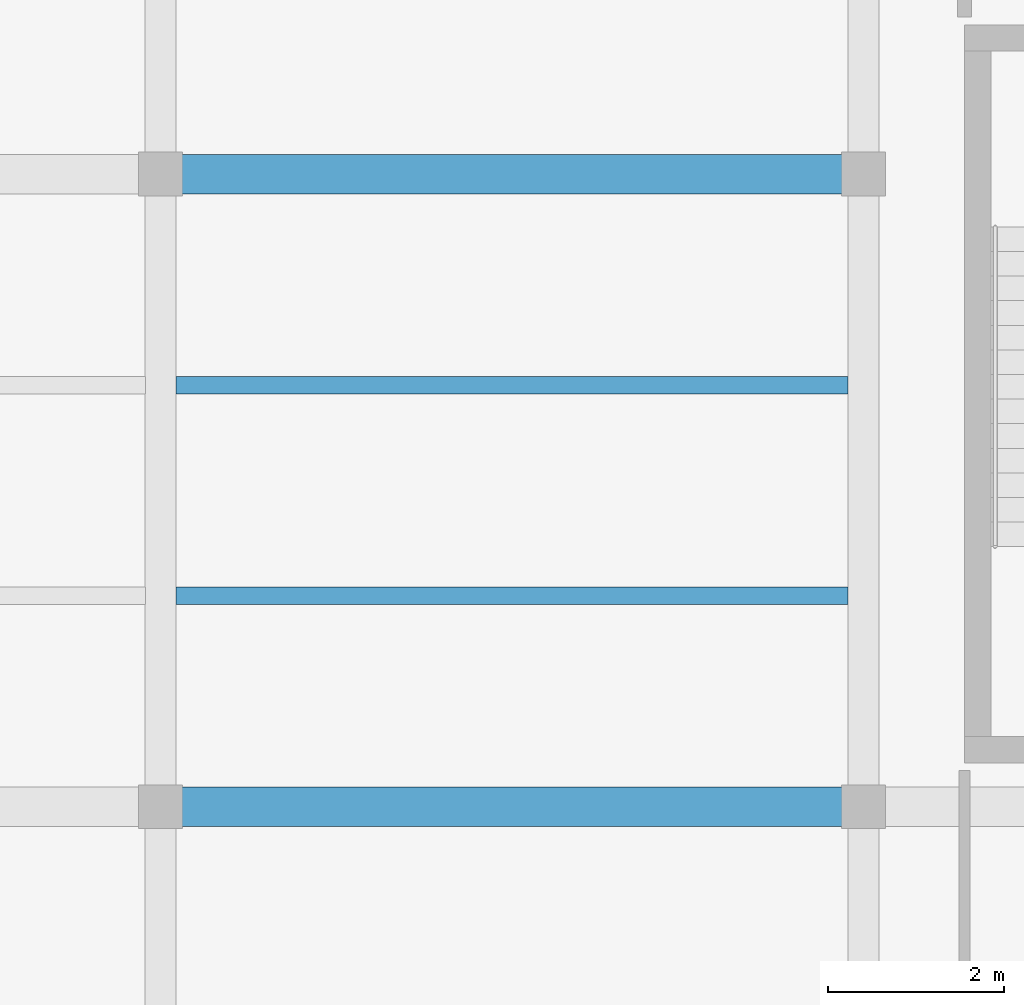
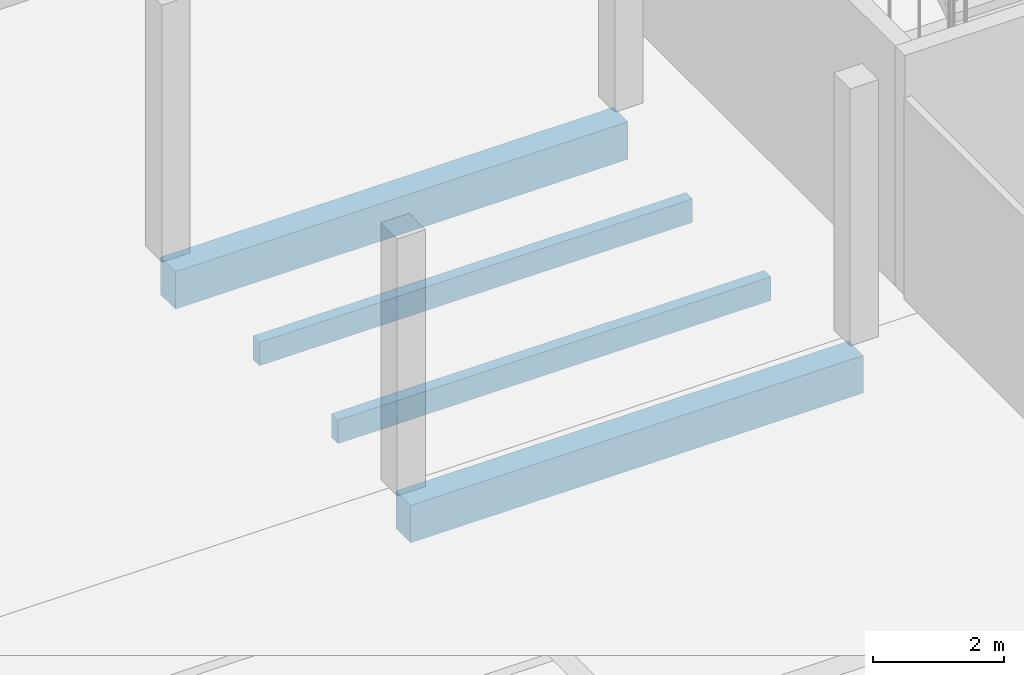
# One storey, part 64 of 177: 4 beams.
"""IFC4 building model written with IfcOpenShell, lengths in metres."""

import ifcopenshell
import ifcopenshell.guid

model = None  # the IFC model being written
_history = None  # IfcOwnerHistory: only IFC2X3 demands one
_inside = {}  # id of a spatial element -> (the spatial element, [elements in it])
_under = {}  # id of a project, library or spatial element -> (it, [spatial elements below it])
_declared = {}  # id of a project -> (the project, [libraries it declares])
_typed = {}  # id of a type object -> (the type object, [elements of that type])
_made_of = {}  # id of a material, layer set ... -> (it, [elements and type objects made of it])


def new_model(schema):
    """Start an empty IFC model of exactly this schema.

    Asked for "IFC4X3", IfcOpenShell would pick the latest addendum, in which some entities
    have other attributes; the version numbers below select the first issue.
    IFC2X3 requires an IfcOwnerHistory on every rooted entity: one is made here for all.
    """
    global model, _history
    if schema == "IFC4X3":
        model = ifcopenshell.file(schema_version=(4, 3, 0, 0))
    else:
        model = ifcopenshell.file(schema=schema)
    _inside.clear()
    _under.clear()
    _declared.clear()
    _typed.clear()
    _made_of.clear()
    _history = None
    if model.schema == "IFC2X3":
        org = make("IfcOrganization", Name="unknown")
        user = make(
            "IfcPersonAndOrganization",
            ThePerson=make("IfcPerson", FamilyName="unknown"),
            TheOrganization=org,
        )
        app = make(
            "IfcApplication",
            ApplicationDeveloper=org,
            Version="unknown",
            ApplicationFullName="unknown",
            ApplicationIdentifier="unknown",
        )
        _history = make(
            "IfcOwnerHistory",
            OwningUser=user,
            OwningApplication=app,
            ChangeAction="ADDED",
            CreationDate=0,
        )
    return model


def make(cls, **values):
    """One entity of the class cls with the attributes given. An attribute that is None is left unset."""
    return model.create_entity(
        cls, **{name: value for name, value in values.items() if value is not None}
    )


def rooted(cls, **values):
    """An entity with a GlobalId (a new one), such as an element, a storey or a relation."""
    return make(cls, GlobalId=ifcopenshell.guid.new(), OwnerHistory=_history, **values)


def si_unit(unit_type, name, prefix=None):
    """IfcSIUnit, for example si_unit("LENGTHUNIT", "METRE", prefix="MILLI")."""
    return make("IfcSIUnit", UnitType=unit_type, Prefix=prefix, Name=name)


def assignment(units):
    """IfcUnitAssignment: the units of a project."""
    return None if units is None else make("IfcUnitAssignment", Units=units)


def point(xyz):
    """IfcCartesianPoint."""
    return None if xyz is None else make("IfcCartesianPoint", Coordinates=xyz)


def direction(xyz):
    """IfcDirection."""
    return None if xyz is None else make("IfcDirection", DirectionRatios=xyz)


def frame(location, z_axis=None, x_axis=None):
    """IfcAxis2Placement3D, a coordinate frame: its origin and axes. An axis left out is left unset."""
    return make(
        "IfcAxis2Placement3D",
        Location=point(location),
        Axis=direction(z_axis),
        RefDirection=direction(x_axis),
    )


def frame_2d(location, x_axis=None):
    """IfcAxis2Placement2D, a coordinate frame in the plane: its origin and x axis."""
    return make(
        "IfcAxis2Placement2D", Location=point(location), RefDirection=direction(x_axis)
    )


def origin():
    """The frame at (0, 0, 0) with its axes left unset."""
    return frame((0.0, 0.0, 0.0))


def origin_2d():
    """The frame at (0, 0) in the plane with its x axis left unset."""
    return frame_2d((0.0, 0.0))


def place(relative_to, where):
    """IfcLocalPlacement: puts the frame where relative to a parent placement (None: the world)."""
    return make(
        "IfcLocalPlacement", PlacementRelTo=relative_to, RelativePlacement=where
    )


def context(
    kind, dimensions, precision=None, world=None, true_north=None, identifier=None
):
    """IfcGeometricRepresentationContext, for example the 3D "Model" context."""
    return make(
        "IfcGeometricRepresentationContext",
        ContextIdentifier=identifier,
        ContextType=kind,
        CoordinateSpaceDimension=dimensions,
        Precision=precision,
        WorldCoordinateSystem=world,
        TrueNorth=true_north,
    )


def subcontext(parent, identifier, kind, view, scale=None):
    """IfcGeometricRepresentationSubContext, for example "Body" below "Model"."""
    return make(
        "IfcGeometricRepresentationSubContext",
        ContextIdentifier=identifier,
        ContextType=kind,
        ParentContext=parent,
        TargetScale=scale,
        TargetView=view,
    )


def project(units=None, contexts=None):
    """IfcProject with its units and contexts."""
    return rooted(
        "IfcProject",
        Name="project",
        RepresentationContexts=contexts,
        UnitsInContext=assignment(units),
    )


def spatial(cls, under=None, at=None, **own):
    """A site, building, storey or space (cls), placed at a placement, below another one or the project."""
    s = rooted(cls, ObjectPlacement=at, **own)
    if under is not None:
        _under.setdefault(under.id(), (under, []))[1].append(s)
    return s


def profile(cls, at=None, kind="AREA", **sizes):
    """A parametric profile (cls). Its sizes go by their IFC names, for example OverallWidth=200.0."""
    return make(cls, ProfileType=kind, Position=at, **sizes)


def rectangle(**sizes):
    """IfcRectangleProfileDef."""
    return profile("IfcRectangleProfileDef", **sizes)


def extrude(swept, where, along, depth):
    """IfcExtrudedAreaSolid: the profile swept, set in the frame where, extruded along a direction by depth."""
    return make(
        "IfcExtrudedAreaSolid",
        SweptArea=swept,
        Position=where,
        ExtrudedDirection=direction(along),
        Depth=depth,
    )


def shape(context_of_items, identifier, shape_type, items):
    """IfcShapeRepresentation: the items that make up one representation, for example the "Body"."""
    return make(
        "IfcShapeRepresentation",
        ContextOfItems=context_of_items,
        RepresentationIdentifier=identifier,
        RepresentationType=shape_type,
        Items=items,
    )


def material(Name=None, Category=None):
    """IfcMaterial."""
    return make("IfcMaterial", Name=Name, Category=Category)


def material_profile(
    of_material, cross_section, Name=None, Category=None, Priority=None
):
    """IfcMaterialProfile: a cross section and its material."""
    return make(
        "IfcMaterialProfile",
        Name=Name,
        Material=of_material,
        Profile=cross_section,
        Priority=Priority,
        Category=Category,
    )


def profile_set(profiles, Name=None, composite=None):
    """IfcMaterialProfileSet."""
    return make(
        "IfcMaterialProfileSet",
        Name=Name,
        MaterialProfiles=profiles,
        CompositeProfile=composite,
    )


def made_of(thing, what):
    """Note that an element or type object is made of a material, layer set ...; save() writes the relation."""
    if what is not None:
        _made_of.setdefault(what.id(), (what, []))[1].append(thing)
    return thing


def type_object(cls, material=None, **own):
    """A type object (cls), such as IfcWallType, which elements share."""
    return made_of(rooted(cls, **own), material)


def element(
    cls,
    number,
    at=None,
    inside=None,
    cuts=None,
    type_object=None,
    material=None,
    context=None,
    identifier="Body",
    shape_type=None,
    held_by="IfcProductDefinitionShape",
    body=None,
    shapes=None,
    **own,
):
    """One element of the class cls, such as IfcWall. Its Tag is "e" and its number.

    at: its placement. inside: the storey or other place that contains it. cuts: it is an
    opening in that element (IfcRelVoidsElement). A single representation is given by context,
    identifier, shape_type and body (its items); several are given by shapes. held_by: the class
    of the entity that holds the representations. save() writes the other relations.
    """
    e = rooted(cls, Tag="e%d" % number, ObjectPlacement=at, **own)
    if body is not None:
        shapes = [shape(context, identifier, shape_type, body)]
    if shapes is not None:
        e.Representation = make(held_by, Representations=shapes)
    if inside is not None:
        _inside.setdefault(inside.id(), (inside, []))[1].append(e)
    if cuts is not None:
        rooted(
            "IfcRelVoidsElement", RelatingBuildingElement=cuts, RelatedOpeningElement=e
        )
    if type_object is not None:
        _typed.setdefault(type_object.id(), (type_object, []))[1].append(e)
    return made_of(e, material)


def aggregate(whole, parts):
    """IfcRelAggregates: a whole, such as a stair, and the parts it consists of."""
    return rooted("IfcRelAggregates", RelatingObject=whole, RelatedObjects=parts)


def save(model, path):
    """Write the relations noted so far, then the file.

    IfcRelAggregates (storeys below a building ...), IfcRelContainedInSpatialStructure (elements
    in a storey), IfcRelDefinesByType, IfcRelAssociatesMaterial and IfcRelDeclares: one each for
    every whole, place, type object, material and project.
    """
    for whole, parts in _under.values():
        aggregate(whole, parts)
    for where, things in _inside.values():
        rooted(
            "IfcRelContainedInSpatialStructure",
            RelatedElements=things,
            RelatingStructure=where,
        )
    for kind, things in _typed.values():
        rooted("IfcRelDefinesByType", RelatedObjects=things, RelatingType=kind)
    for what, things in _made_of.values():
        rooted("IfcRelAssociatesMaterial", RelatedObjects=things, RelatingMaterial=what)
    for by, libraries in _declared.values():
        rooted("IfcRelDeclares", RelatingContext=by, RelatedDefinitions=libraries)
    model.write(path)


model = new_model("IFC4")

# Units and contexts
model_context = context("Model", 3, precision=1e-05, world=origin(), true_north=direction((0.0, 1.0)))
body_context = subcontext(model_context, "Body", "Model", "MODEL_VIEW")
ifc_project = project(units=[si_unit("LENGTHUNIT", "METRE"), si_unit("AREAUNIT", "SQUARE_METRE"), si_unit("VOLUMEUNIT", "CUBIC_METRE"), si_unit("PLANEANGLEUNIT", "RADIAN"), si_unit("MASSUNIT", "GRAM", prefix="KILO")], contexts=[model_context])

# Site, building, storey
site_placement = place(None, origin())
site = spatial("IfcSite", under=ifc_project, at=site_placement, CompositionType="ELEMENT")
building_placement = place(site_placement, origin())
building = spatial("IfcBuilding", under=site, at=building_placement, Name="Chiffa Square Polytechnic", CompositionType="ELEMENT")
storey_placement = place(building_placement, frame((0.0, 0.0, 4.800048828125)))
storey = spatial("IfcBuildingStorey", under=building, at=storey_placement, Name="L01", CompositionType="ELEMENT", Elevation=4.800048828125)

# Beams
ifc_material_1 = material(Name="Concrete C35/45", Category="concrete")
ifc_material_profile_1 = material_profile(ifc_material_1, rectangle(XDim=0.449951171875, YDim=0.699951171875, at=origin_2d()), Name="RC 450x700")
ifc_profile_set_1 = profile_set([ifc_material_profile_1], Name="Concrete C35/45")
beam_type_1 = type_object("IfcBeamType", Name="BM-RC-450X700", PredefinedType="BEAM", material=ifc_profile_set_1)
for number, where, z_axis, x_axis, name in (
    (1, (8.0, 79.800048828125, -0.630126953125), (1.0, 0.0, 0.0), (0.0, 1.0, 0.0), "Primary floor girder BM-V6-L01-X-0080-0798"),
    (2, (8.0, 87.0, -0.630126953125), (1.0, 0.0, 0.0), (0.0, 1.0, 0.0), "Primary floor girder BM-V6-L01-X-0080-0870"),
):
    element("IfcBeam", number, at=place(storey_placement, frame(where, z_axis=z_axis, x_axis=x_axis)), inside=storey, type_object=beam_type_1, Name=name, PredefinedType="BEAM", context=body_context, shape_type="SweptSolid", body=[
        extrude(rectangle(XDim=0.449951171875, YDim=0.699951171875, at=origin_2d()), origin(), (0.0, 0.0, 1.0), 8.0),
    ])
ifc_material_2 = material(Name="Glulam GL28h", Category="wood")
ifc_material_profile_2 = material_profile(ifc_material_2, rectangle(XDim=0.199951171875, YDim=0.43994140625, at=origin_2d()), Name="GL28h 200x440")
ifc_profile_set_2 = profile_set([ifc_material_profile_2], Name="Glulam GL28h")
beam_type_2 = type_object("IfcBeamType", Name="JST-GL-200X440", PredefinedType="JOIST", material=ifc_profile_set_2)
for number, where, z_axis, x_axis, name in (
    (3, (8.173095703125, 82.199951171875, -0.5), (1.0, 0.0, 0.0), (0.0, 1.0, 0.0), "Secondary floor joist JST-V6-L01-0080-0822"),
    (4, (8.173095703125, 84.60009765625, -0.5), (1.0, 0.0, 0.0), (0.0, 1.0, 0.0), "Secondary floor joist JST-V6-L01-0080-0846"),
):
    element("IfcBeam", number, at=place(storey_placement, frame(where, z_axis=z_axis, x_axis=x_axis)), inside=storey, type_object=beam_type_2, Name=name, PredefinedType="JOIST", context=body_context, shape_type="SweptSolid", body=[
        extrude(rectangle(XDim=0.199951171875, YDim=0.43994140625, at=origin_2d()), origin(), (0.0, 0.0, 1.0), 7.65380859375),
    ])

save(model, "model.ifc")
